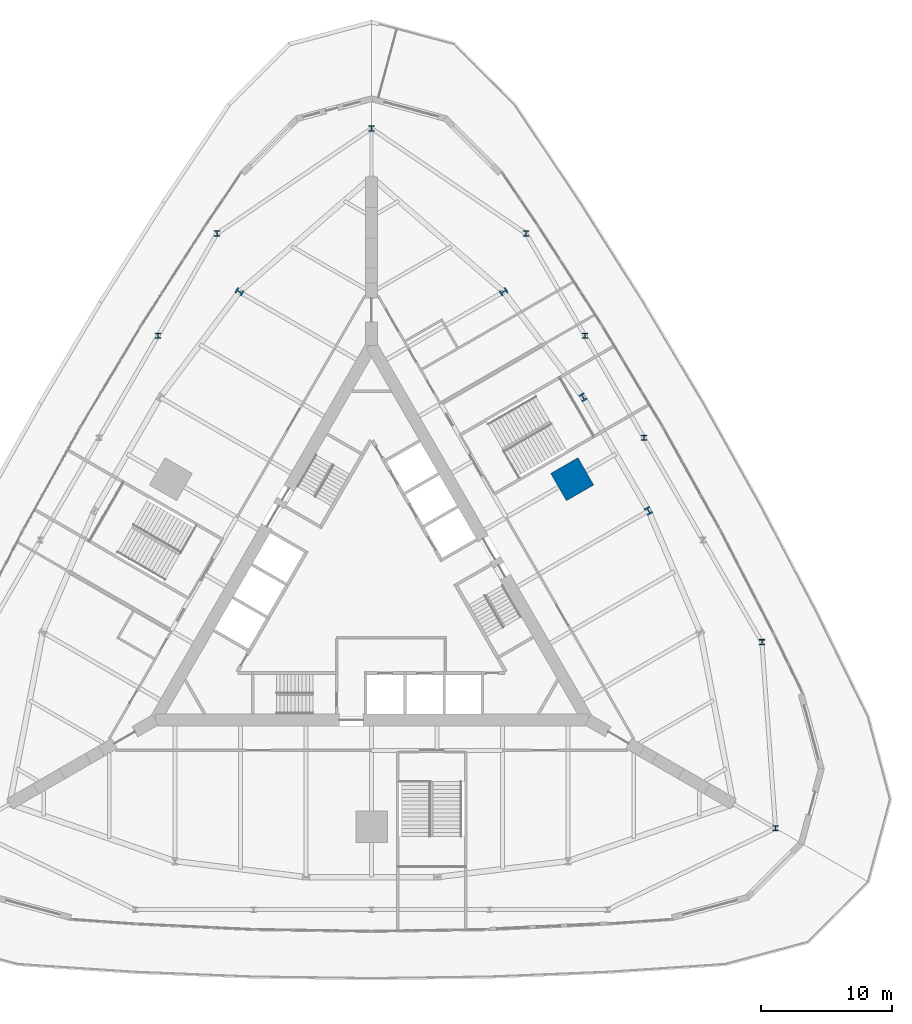
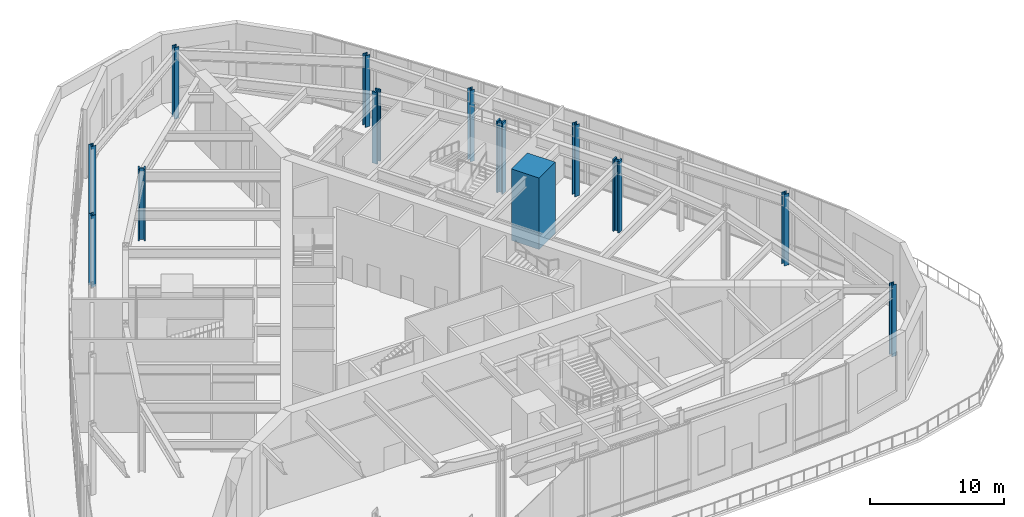
# One storey, part 2 of 19: 13 columns.
"""IFC4 building model written with IfcOpenShell, lengths in metres."""

from ifc_helpers import new_model, si_unit, direction, frame, origin, origin_2d, place, context, subcontext, project, spatial, rectangle, i_section, extrude, material, material_profile, profile_set, type_object, element, save


model = new_model("IFC4")

# Units and contexts
model_context = context("Model", 3, precision=1e-05, world=origin(), true_north=direction((0.0, 1.0)))
body_context = subcontext(model_context, "Body", "Model", "MODEL_VIEW")
ifc_project = project(units=[si_unit("LENGTHUNIT", "METRE"), si_unit("AREAUNIT", "SQUARE_METRE"), si_unit("VOLUMEUNIT", "CUBIC_METRE"), si_unit("PLANEANGLEUNIT", "RADIAN"), si_unit("MASSUNIT", "GRAM", prefix="KILO")], contexts=[model_context])

# Site, building, storey
site_placement = place(None, origin())
site = spatial("IfcSite", under=ifc_project, at=site_placement, CompositionType="ELEMENT")
building_placement = place(site_placement, origin())
building = spatial("IfcBuilding", under=site, at=building_placement, Name="Trikona Tower", CompositionType="ELEMENT")
storey_placement = place(building_placement, frame((0.0, 0.0, 11.0)))
storey = spatial("IfcBuildingStorey", under=building, at=storey_placement, Name="L02", CompositionType="ELEMENT", Elevation=11.0)

# Columns
ifc_material_1 = material(Name="Concrete f'c 10000 psi with encased steel section", Category="concrete")
ifc_material_profile_1 = material_profile(ifc_material_1, rectangle(XDim=2.39990234375, YDim=2.39990234375, at=origin_2d()), Name="MC2400")
ifc_profile_set_1 = profile_set([ifc_material_profile_1], Name="Concrete f'c 10000 psi with encased steel section")
column_type_1 = type_object("IfcColumnType", Name="Composite mega column 2400x2400", PredefinedType="COLUMN", material=ifc_profile_set_1)
column_placement = place(storey_placement, frame((15.311767578125, 8.84033203125, 0.0), z_axis=(0.0, 0.0, 1.0), x_axis=(0.866025403784, 0.5, 0.0)))
element("IfcColumn", 1, at=column_placement, inside=storey, type_object=column_type_1, Name="Mega column MC2", PredefinedType="COLUMN", context=body_context, shape_type="SweptSolid", body=[
    extrude(rectangle(XDim=2.39990234375, YDim=2.39990234375, at=origin_2d()), origin(), (0.0, 0.0, 1.0), 6.5),
])
ifc_material_2 = material(Name="Steel ASTM A992 Grade 50", Category="steel")
ifc_material_profile_2 = material_profile(ifc_material_2, i_section(OverallWidth=0.4013671875, OverallDepth=0.398681640625, WebThickness=0.02490234375, FlangeThickness=0.03955078125, at=origin_2d()), Name="W14X211")
ifc_profile_set_2 = profile_set([ifc_material_profile_2], Name="Steel ASTM A992 Grade 50")
column_type_2 = type_object("IfcColumnType", Name="Steel column W14x211", PredefinedType="COLUMN", material=ifc_profile_set_2)
for number, where, z_axis, x_axis, name in (
    (2, (30.83056640625, -17.800048828125, 0.0), (0.0, 0.0, 1.0), (1.0, 0.0, 0.0), "Column K0D35.6"),
    (3, (0.0, 35.60009765625, 0.0), (0.0, 0.0, 1.0), (1.0, 0.0, 0.0), "Column K1D35.6"),
    (4, (29.78466796875, -3.58837890625, 0.0), (0.0, 0.0, 1.0), (1.0, 0.0, 0.0), "Column R24F1m18"),
    (5, (20.78466796875, 12.0, 0.0), (0.0, 0.0, 1.0), (1.0, 0.0, 0.0), "Column R24F1p0"),
    (6, (11.78466796875, 27.58837890625, 0.0), (0.0, 0.0, 1.0), (1.0, 0.0, 0.0), "Column R24F1p18"),
    (7, (16.28466796875, 19.794189453125, 0.0), (0.0, 0.0, 1.0), (1.0, 0.0, 0.0), "Column R24F1p9"),
    (8, (-11.78466796875, 27.58837890625, 0.0), (0.0, 0.0, 1.0), (1.0, 0.0, 0.0), "Column R24F2m18"),
    (9, (-16.28466796875, 19.794189453125, 0.0), (0.0, 0.0, 1.0), (1.0, 0.0, 0.0), "Column R24F2m9"),
):
    element("IfcColumn", number, at=place(storey_placement, frame(where, z_axis=z_axis, x_axis=x_axis)), inside=storey, type_object=column_type_2, Name=name, PredefinedType="COLUMN", context=body_context, shape_type="SweptSolid", body=[
        extrude(i_section(OverallWidth=0.4013671875, OverallDepth=0.398681640625, WebThickness=0.02490234375, FlangeThickness=0.03955078125, at=origin_2d()), origin(), (0.0, 0.0, 1.0), 6.5),
    ])
ifc_material_3 = material(Name="Steel ASTM A992 Grade 50", Category="steel")
ifc_material_profile_3 = material_profile(ifc_material_3, i_section(OverallWidth=0.45458984375, OverallDepth=0.56884765625, WebThickness=0.077880859375, FlangeThickness=0.124755859375, at=origin_2d()), Name="W14X730")
ifc_profile_set_3 = profile_set([ifc_material_profile_3], Name="Steel ASTM A992 Grade 50")
column_type_3 = type_object("IfcColumnType", Name="Steel column W14x730", PredefinedType="COLUMN", material=ifc_profile_set_3)
for number, where, z_axis, x_axis, name in (
    (10, (21.13720703125, 6.43017578125, 0.0), (0.0, 0.0, 1.0), (0.866025403784, 0.5, 0.0), "Column F1m5"),
    (11, (16.13720703125, 15.09033203125, 0.0), (0.0, 0.0, 1.0), (0.866025403784, 0.5, 0.0), "Column F1p5"),
    (12, (10.0830078125, 23.141845703125, 0.0), (0.0, 0.0, 1.0), (-0.5, 0.866025403784, 0.0), "Column F1p15"),
    (13, (-10.0830078125, 23.141845703125, 0.0), (0.0, 0.0, 1.0), (-0.5, -0.866025403784, 0.0), "Column F2m15"),
):
    element("IfcColumn", number, at=place(storey_placement, frame(where, z_axis=z_axis, x_axis=x_axis)), inside=storey, type_object=column_type_3, Name=name, PredefinedType="COLUMN", context=body_context, shape_type="SweptSolid", body=[
        extrude(i_section(OverallWidth=0.45458984375, OverallDepth=0.56884765625, WebThickness=0.077880859375, FlangeThickness=0.124755859375, at=origin_2d()), origin(), (0.0, 0.0, 1.0), 6.5),
    ])

save(model, "model.ifc")
